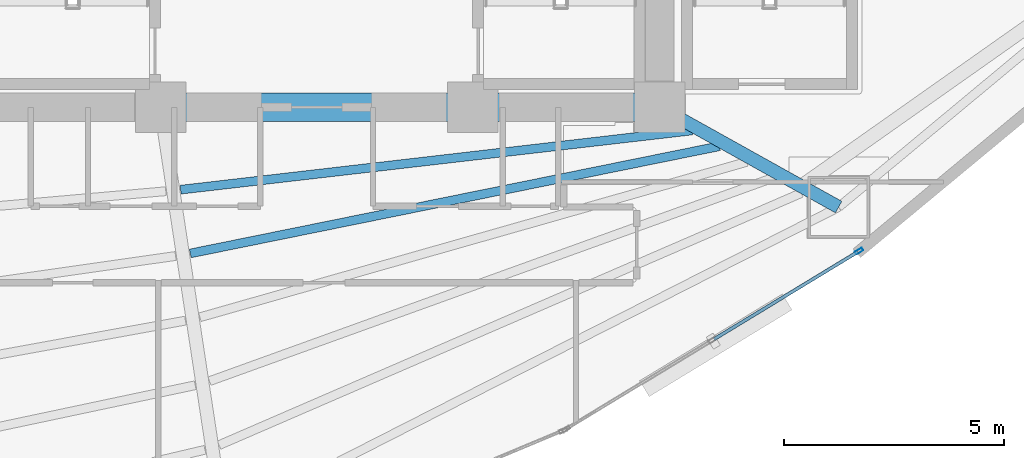
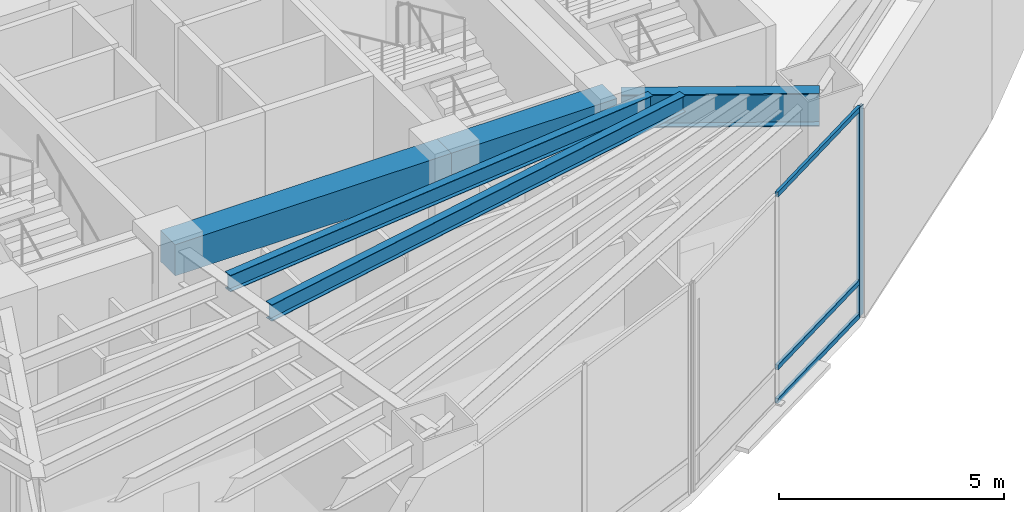
# One storey, part 6 of 19: 5 beams, 4 members, 1 element without a shape of its own.
"""IFC4 building model written with IfcOpenShell, lengths in metres."""

from ifc_helpers import new_model, si_unit, direction, frame, origin, origin_2d, place, context, subcontext, project, spatial, rectangle, hollow_rectangle, i_section, extrude, material, layer, layer_set, material_profile, profile_set, type_object, element, aggregate, save


model = new_model("IFC4")

# Units and contexts
model_context = context("Model", 3, precision=1e-05, world=origin(), true_north=direction((0.0, 1.0)))
body_context = subcontext(model_context, "Body", "Model", "MODEL_VIEW")
ifc_project = project(units=[si_unit("LENGTHUNIT", "METRE"), si_unit("AREAUNIT", "SQUARE_METRE"), si_unit("VOLUMEUNIT", "CUBIC_METRE"), si_unit("PLANEANGLEUNIT", "RADIAN"), si_unit("MASSUNIT", "GRAM", prefix="KILO")], contexts=[model_context])

# Site, building, storey
site_placement = place(None, origin())
site = spatial("IfcSite", under=ifc_project, at=site_placement, CompositionType="ELEMENT")
building_placement = place(site_placement, origin())
building = spatial("IfcBuilding", under=site, at=building_placement, Name="Menara Vayukalpa", CompositionType="ELEMENT")
storey_placement = place(building_placement, frame((0.0, 0.0, 12.0)))
storey = spatial("IfcBuildingStorey", under=building, at=storey_placement, Name="L02", CompositionType="ELEMENT", Elevation=12.0)

# Beams
ifc_material_1 = material(Name="Concrete C60/75", Category="concrete")
ifc_material_profile_1 = material_profile(ifc_material_1, rectangle(XDim=0.64990234375, YDim=0.85009765625, at=origin_2d()), Name="RC 650x850")
ifc_profile_set_1 = profile_set([ifc_material_profile_1], Name="Concrete C60/75")
beam_type_1 = type_object("IfcBeamType", Name="BM-CB1", PredefinedType="BEAM", material=ifc_profile_set_1)
beam_1_placement = place(storey_placement, frame((22.050048828125, 17.199951171875, 5.2548828125), z_axis=(1.0, 0.0, 0.0), x_axis=(0.0, 1.0, 0.0)))
element("IfcBeam", 1, at=beam_1_placement, inside=storey, type_object=beam_type_1, Name="L02 Core Tie Beam CBR2", PredefinedType="BEAM", context=body_context, shape_type="SweptSolid", body=[
    extrude(rectangle(XDim=0.64990234375, YDim=0.85009765625, at=origin_2d()), origin(), (0.0, 0.0, 1.0), 7.099853515625),
])
beam_2_placement = place(storey_placement, frame((29.14990234375, 17.199951171875, 5.2548828125), z_axis=(1.0, 0.0, 0.0), x_axis=(0.0, 1.0, 0.0)))
element("IfcBeam", 2, at=beam_2_placement, inside=storey, type_object=beam_type_1, Name="L02 Core Tie Beam CBR3", PredefinedType="BEAM", context=body_context, shape_type="SweptSolid", body=[
    extrude(rectangle(XDim=0.64990234375, YDim=0.85009765625, at=origin_2d()), origin(), (0.0, 0.0, 1.0), 4.25),
])
ifc_material_2 = material(Name="Steel S355", Category="steel")
ifc_material_profile_2 = material_profile(ifc_material_2, i_section(OverallWidth=0.300048828125, OverallDepth=0.89990234375, WebThickness=0.01611328125, FlangeThickness=0.028076171875, at=origin_2d()), Name="WF 900x300x16x28")
ifc_profile_set_2 = profile_set([ifc_material_profile_2], Name="Steel S355")
beam_type_2 = type_object("IfcBeamType", Name="BM-PG1", PredefinedType="BEAM", material=ifc_profile_set_2)
beam_3_placement = place(storey_placement, frame((33.618408203125, 17.078369140625, 5.22998046875), z_axis=(0.873472891879, -0.486872783335, 0.0), x_axis=(0.486872783335, 0.873472891879, 0.0)))
element("IfcBeam", 3, at=beam_3_placement, inside=storey, type_object=beam_type_2, Name="L02 Primary Radial Girder RG09", PredefinedType="BEAM", context=body_context, shape_type="SweptSolid", body=[
    extrude(i_section(OverallWidth=0.300048828125, OverallDepth=0.89990234375, WebThickness=0.01611328125, FlangeThickness=0.028076171875, at=origin_2d()), origin(), (0.0, 0.0, 1.0), 4.414306640625),
])
ifc_material_3 = material(Name="Steel S355", Category="steel")
ifc_material_profile_3 = material_profile(ifc_material_3, i_section(OverallWidth=0.199951171875, OverallDepth=0.449951171875, WebThickness=0.009033203125, FlangeThickness=0.013916015625, at=origin_2d()), Name="WF 450x200x9x14")
ifc_profile_set_3 = profile_set([ifc_material_profile_3], Name="Steel S355")
beam_type_3 = type_object("IfcBeamType", Name="BM-SJ1", PredefinedType="JOIST", material=ifc_profile_set_3)
beam_4_placement = place(storey_placement, frame((22.506103515625, 15.324951171875, 5.455078125), z_axis=(0.993368624996, 0.114972931045, 0.0), x_axis=(-0.114972931045, 0.993368624996, 0.0)))
element("IfcBeam", 4, at=beam_4_placement, inside=storey, type_object=beam_type_3, Name="L02 Secondary Floor Joist SJ08-1", PredefinedType="JOIST", context=body_context, shape_type="SweptSolid", body=[
    extrude(i_section(OverallWidth=0.199951171875, OverallDepth=0.449951171875, WebThickness=0.009033203125, FlangeThickness=0.013916015625, at=origin_2d()), origin(), (0.0, 0.0, 1.0), 11.715087890625),
])
beam_5_placement = place(storey_placement, frame((22.72607421875, 13.874755859375, 5.455078125), z_axis=(0.980082096832, 0.198592757847, 0.0), x_axis=(-0.198592757847, 0.980082096832, 0.0)))
element("IfcBeam", 5, at=beam_5_placement, inside=storey, type_object=beam_type_3, Name="L02 Secondary Floor Joist SJ08-2", PredefinedType="JOIST", context=body_context, shape_type="SweptSolid", body=[
    extrude(i_section(OverallWidth=0.199951171875, OverallDepth=0.449951171875, WebThickness=0.009033203125, FlangeThickness=0.013916015625, at=origin_2d()), origin(), (0.0, 0.0, 1.0), 12.28125),
])

# Curtain wall, members
ifc_material_4 = material(Name="Anodised Terracotta Aluminium Alloy 6063-T6", Category="masonry")
ifc_layer = layer(ifc_material_4, 0.179931640625)
ifc_layer_set = layer_set([ifc_layer], Name="Anodised Terracotta Aluminium Alloy 6063-T6")
curtain_wall_type = type_object("IfcCurtainWallType", Name="CW-CW1", PredefinedType="USERDEFINED", material=ifc_layer_set)
curtain_wall_placement = place(storey_placement, origin())
curtain_wall = element("IfcCurtainWall", 6, at=curtain_wall_placement, inside=storey, type_object=curtain_wall_type, Name="L02 Podium Unitised Ribbon Curtain Wall CW1 17", ObjectType="UNITISED", PredefinedType="USERDEFINED")
ifc_material_5 = material(Name="Anodised Terracotta Aluminium Alloy 6063-T6", Category="masonry")
ifc_material_profile_4 = material_profile(ifc_material_5, hollow_rectangle(XDim=0.074951171875, YDim=0.179931640625, WallThickness=0.00390625, at=origin_2d()), Name="ALU 75x180x4")
ifc_profile_set_4 = profile_set([ifc_material_profile_4], Name="Anodised Terracotta Aluminium Alloy 6063-T6")
member_type_1 = type_object("IfcMemberType", Name="CWM-CW1", PredefinedType="MULLION", material=ifc_profile_set_4)
member_1_placement = place(storey_placement, frame((37.941162109375, 13.929443359375, 0.0), z_axis=(0.0, 0.0, 1.0), x_axis=(-0.519179879231, 0.854664994604, 0.0)))
member_1 = element("IfcMember", 7, at=member_1_placement, type_object=member_type_1, Name="CW1 mullion 3", PredefinedType="MULLION", context=body_context, shape_type="SweptSolid", body=[
    extrude(hollow_rectangle(XDim=0.074951171875, YDim=0.179931640625, WallThickness=0.00390625, at=origin_2d()), origin(), (0.0, 0.0, 1.0), 5.679931640625),
])
ifc_material_6 = material(Name="Anodised Terracotta Aluminium Alloy 6063-T6", Category="masonry")
ifc_material_profile_5 = material_profile(ifc_material_6, hollow_rectangle(XDim=0.074951171875, YDim=0.135009765625, WallThickness=0.00390625, at=origin_2d()), Name="ALU 75x135x4")
ifc_profile_set_5 = profile_set([ifc_material_profile_5], Name="Anodised Terracotta Aluminium Alloy 6063-T6")
member_type_2 = type_object("IfcMemberType", Name="CWT-CW1", PredefinedType="USERDEFINED", material=ifc_profile_set_5)
member_2_placement = place(storey_placement, frame((34.639404296875, 11.923583984375, 0.03759765625), z_axis=(0.85465908819, 0.519189602144, 0.0), x_axis=(-0.519189602144, 0.85465908819, 0.0)))
member_2 = element("IfcMember", 8, at=member_2_placement, type_object=member_type_2, Name="CW1 transom 2.1", ObjectType="TRANSOM", PredefinedType="USERDEFINED", context=body_context, shape_type="SweptSolid", body=[
    extrude(hollow_rectangle(XDim=0.074951171875, YDim=0.135009765625, WallThickness=0.00390625, at=origin_2d()), origin(), (0.0, 0.0, 1.0), 3.825927734375),
])
member_3_placement = place(storey_placement, frame((34.639404296875, 11.923583984375, 0.949951171875), z_axis=(0.85465908819, 0.519189602144, 0.0), x_axis=(-0.519189602144, 0.85465908819, 0.0)))
member_3 = element("IfcMember", 9, at=member_3_placement, type_object=member_type_2, Name="CW1 transom 2.2", ObjectType="TRANSOM", PredefinedType="USERDEFINED", context=body_context, shape_type="SweptSolid", body=[
    extrude(hollow_rectangle(XDim=0.074951171875, YDim=0.135009765625, WallThickness=0.00390625, at=origin_2d()), origin(), (0.0, 0.0, 1.0), 3.825927734375),
])
member_4_placement = place(storey_placement, frame((34.639404296875, 11.923583984375, 5.642578125), z_axis=(0.85465908819, 0.519189602144, 0.0), x_axis=(-0.519189602144, 0.85465908819, 0.0)))
member_4 = element("IfcMember", 10, at=member_4_placement, type_object=member_type_2, Name="CW1 transom 2.3", ObjectType="TRANSOM", PredefinedType="USERDEFINED", context=body_context, shape_type="SweptSolid", body=[
    extrude(hollow_rectangle(XDim=0.074951171875, YDim=0.135009765625, WallThickness=0.00390625, at=origin_2d()), origin(), (0.0, 0.0, 1.0), 3.825927734375),
])
aggregate(curtain_wall, [member_1, member_2, member_3, member_4])

save(model, "model.ifc")
